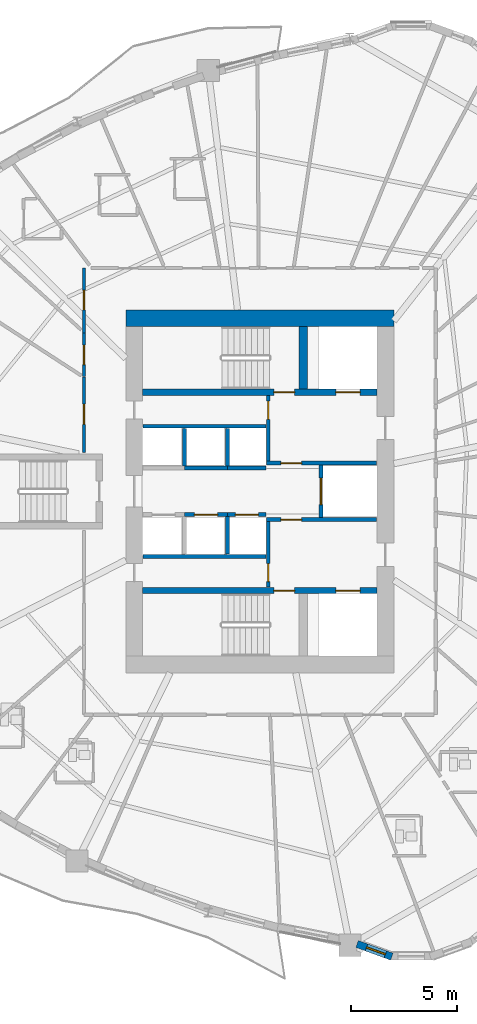
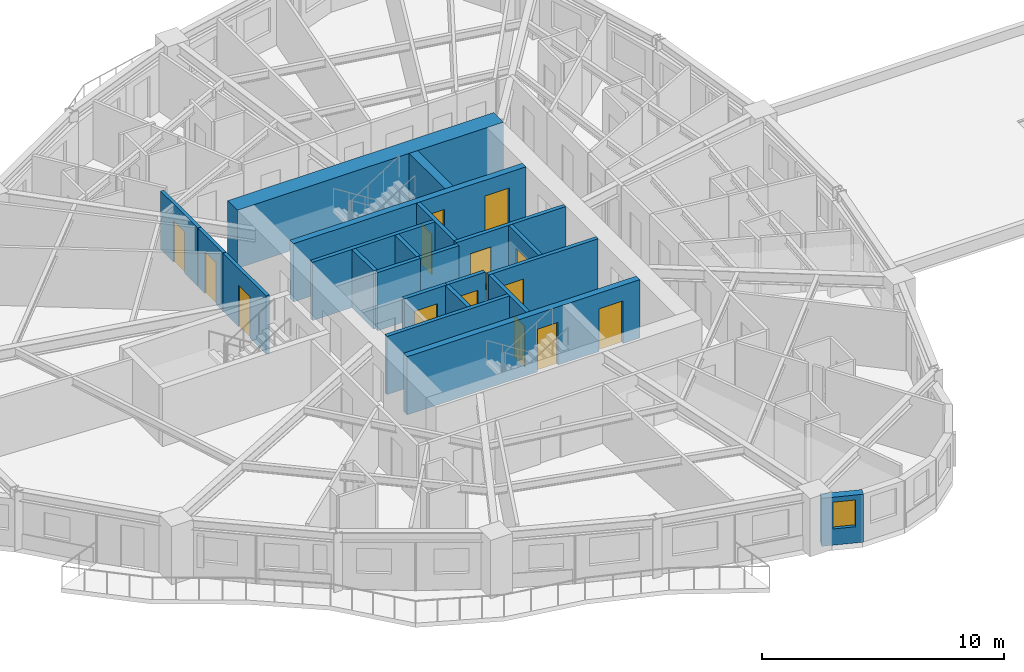
# One storey, part 5 of 15: 22 walls, 14 doors, 1 window, 15 openings.
"""IFC4 building model written with IfcOpenShell, lengths in metres."""

from ifc_helpers import new_model, si_unit, direction, frame, frame_2d, origin, place, context, subcontext, project, spatial, rectangle, extrude, source, transform, mapped, material, layer, layer_set, type_object, element, fill, save


model = new_model("IFC4")

# Units and contexts
model_context = context("Model", 3, precision=1e-05, world=origin(), true_north=direction((0.0, 1.0)))
body_context = subcontext(model_context, "Body", "Model", "MODEL_VIEW")
ifc_project = project(units=[si_unit("LENGTHUNIT", "METRE"), si_unit("AREAUNIT", "SQUARE_METRE"), si_unit("VOLUMEUNIT", "CUBIC_METRE"), si_unit("PLANEANGLEUNIT", "RADIAN"), si_unit("MASSUNIT", "GRAM", prefix="KILO")], contexts=[model_context])

# Site, building, storey
site_placement = place(None, origin())
site = spatial("IfcSite", under=ifc_project, at=site_placement, CompositionType="ELEMENT")
building_placement = place(site_placement, origin())
building = spatial("IfcBuilding", under=site, at=building_placement, Name="Qafzar Sky-Pleat Residences", CompositionType="ELEMENT")
storey_placement = place(building_placement, frame((0.0, 0.0, 36.60009765625)))
storey = spatial("IfcBuildingStorey", under=building, at=storey_placement, Name="L10", CompositionType="ELEMENT", Elevation=36.60009765625)

# Wall, opening, door
ifc_material_1 = material(Name="Acoustic gypsum plasterboard partition", Category="gypsum")
ifc_layer_1 = layer(ifc_material_1, 0.159912109375)
ifc_layer_set_1 = layer_set([ifc_layer_1], Name="Acoustic gypsum plasterboard partition")
wall_type_1 = type_object("IfcWallType", Name="PART-COR-160", PredefinedType="PARTITIONING", material=ifc_layer_set_1)
wall_1_placement = place(storey_placement, frame((22.02001953125, 27.85009765625, 0.0), z_axis=(0.0, 0.0, 1.0), x_axis=(0.0, 1.0, 0.0)))
wall_1 = element("IfcWall", 1, at=wall_1_placement, inside=storey, type_object=wall_type_1, Name="L10 Partition Wall PART-L10-PW-004", PredefinedType="PARTITIONING", context=body_context, shape_type="SweptSolid", body=[
    extrude(rectangle(XDim=3.56884765625, YDim=0.159912109375, at=frame_2d((1.784423828125, 0.0))), origin(), (0.0, 0.0, 1.0), 2.93994140625),
])
opening_1_placement = place(wall_1_placement, frame((1.324951171875, 0.0, 0.0)))
opening_1 = element("IfcOpeningElement", 2, at=opening_1_placement, cuts=wall_1, Name="Opening ID-06", PredefinedType="OPENING", context=body_context, shape_type="SweptSolid", body=[
    extrude(rectangle(XDim=0.9599609375, YDim=2.10009765625, at=frame_2d((0.47998046875, 1.050048828125))), frame((0.0, 0.08984375, 0.0), z_axis=(0.0, -1.0, 0.0), x_axis=(1.0, 0.0, 0.0)), (0.0, 0.0, 1.0), 0.179931640625),
])
ifc_material_2 = material(Name="Timber-faced fire door", Category="wood")
door_type_1 = type_object("IfcDoorType", Name="DR-STD-960", OperationType="NOTDEFINED", PredefinedType="DOOR", material=ifc_material_2)
shared_shape_1 = source(origin(), body_context, "Body", "SweptSolid", [
    extrude(rectangle(XDim=0.9599609375, YDim=2.10009765625, at=frame_2d((0.47998046875, 1.050048828125))), frame((0.0, 0.02490234375, 0.0), z_axis=(0.0, -1.0, 0.0), x_axis=(1.0, 0.0, 0.0)), (0.0, 0.0, 1.0), 0.050048828125),
])
door_1_placement = place(opening_1_placement, origin())
door_1 = element("IfcDoor", 3, at=door_1_placement, inside=storey, type_object=door_type_1, Name="L10 Faculty Research Office Door", OperationType="SINGLE_SWING_RIGHT", OverallHeight=2.10009765625, OverallWidth=0.9599609375, PredefinedType="DOOR", context=body_context, shape_type="MappedRepresentation", body=[
    mapped(shared_shape_1, transform((0.0, 0.0, 0.0), x_axis=(1.0, 0.0, 0.0), y_axis=(0.0, 1.0, 0.0), z_axis=(0.0, 0.0, 1.0), scale=1.0)),
])
fill(opening_1, door_1)

wall_2_placement = place(storey_placement, frame((22.02001953125, 33.511962890625, 0.0), z_axis=(0.0, 0.0, 1.0), x_axis=(0.0, 1.0, 0.0)))
wall_2 = element("IfcWall", 4, at=wall_2_placement, inside=storey, type_object=wall_type_1, Name="L10 Partition Wall PART-L10-PW-012", PredefinedType="PARTITIONING", context=body_context, shape_type="SweptSolid", body=[
    extrude(rectangle(XDim=3.068115234375, YDim=0.159912109375, at=frame_2d((1.5341796875, 0.0))), origin(), (0.0, 0.0, 1.0), 2.93994140625),
])
opening_2_placement = place(wall_2_placement, frame((1.08447265625, 0.0, 0.0)))
opening_2 = element("IfcOpeningElement", 5, at=opening_2_placement, cuts=wall_2, Name="Opening ID-04", PredefinedType="OPENING", context=body_context, shape_type="SweptSolid", body=[
    extrude(rectangle(XDim=0.919921875, YDim=2.10009765625, at=frame_2d((0.4599609375, 1.050048828125))), frame((0.0, 0.08984375, 0.0), z_axis=(0.0, -1.0, 0.0), x_axis=(1.0, 0.0, 0.0)), (0.0, 0.0, 1.0), 0.179931640625),
])
door_type_2 = type_object("IfcDoorType", Name="DR-BED-920", OperationType="NOTDEFINED", PredefinedType="DOOR", material=ifc_material_2)
shared_shape_2 = source(origin(), body_context, "Body", "SweptSolid", [
    extrude(rectangle(XDim=0.919921875, YDim=2.10009765625, at=frame_2d((0.4599609375, 1.050048828125))), frame((0.0, 0.02490234375, 0.0), z_axis=(0.0, -1.0, 0.0), x_axis=(1.0, 0.0, 0.0)), (0.0, 0.0, 1.0), 0.050048828125),
])
door_2_placement = place(opening_2_placement, origin())
door_2 = element("IfcDoor", 6, at=door_2_placement, inside=storey, type_object=door_type_2, Name="L10 Co-Living Bedroom 16 Door", OperationType="SINGLE_SWING_LEFT", OverallHeight=2.10009765625, OverallWidth=0.919921875, PredefinedType="DOOR", context=body_context, shape_type="MappedRepresentation", body=[
    mapped(shared_shape_2, transform((0.0, 0.0, 0.0), x_axis=(1.0, 0.0, 0.0), y_axis=(0.0, 1.0, 0.0), z_axis=(0.0, 0.0, 1.0), scale=1.0)),
])
fill(opening_2, door_2)

wall_3_placement = place(storey_placement, frame((22.02001953125, 31.43408203125, 0.0), z_axis=(0.0, 0.0, 1.0), x_axis=(0.0, 1.0, 0.0)))
wall_3 = element("IfcWall", 7, at=wall_3_placement, inside=storey, type_object=wall_type_1, Name="L10 Partition Wall PART-L10-PW-018", PredefinedType="PARTITIONING", context=body_context, shape_type="SweptSolid", body=[
    extrude(rectangle(XDim=2.06298828125, YDim=0.159912109375, at=frame_2d((1.031494140625, 0.0))), origin(), (0.0, 0.0, 1.0), 2.93994140625),
])
opening_3_placement = place(wall_3_placement, frame((0.572998046875, 0.0, 0.0)))
opening_3 = element("IfcOpeningElement", 8, at=opening_3_placement, cuts=wall_3, Name="Opening ID-04", PredefinedType="OPENING", context=body_context, shape_type="SweptSolid", body=[
    extrude(rectangle(XDim=0.919921875, YDim=2.10009765625, at=frame_2d((0.4599609375, 1.050048828125))), frame((0.0, 0.08984375, 0.0), z_axis=(0.0, -1.0, 0.0), x_axis=(1.0, 0.0, 0.0)), (0.0, 0.0, 1.0), 0.179931640625),
])
door_3_placement = place(opening_3_placement, origin())
door_3 = element("IfcDoor", 9, at=door_3_placement, inside=storey, type_object=door_type_2, Name="L10 Co-Living Bedroom 15 Door", OperationType="SINGLE_SWING_RIGHT", OverallHeight=2.10009765625, OverallWidth=0.919921875, PredefinedType="DOOR", context=body_context, shape_type="MappedRepresentation", body=[
    mapped(shared_shape_2, transform((0.0, 0.0, 0.0), x_axis=(1.0, 0.0, 0.0), y_axis=(0.0, 1.0, 0.0), z_axis=(0.0, 0.0, 1.0), scale=1.0)),
])
fill(opening_3, door_3)

ifc_material_3 = material(Name="Concrete blockwork partition", Category="masonry")
ifc_layer_2 = layer(ifc_material_3, 0.179931640625)
ifc_layer_set_2 = layer_set([ifc_layer_2], Name="Concrete blockwork partition")
wall_type_2 = type_object("IfcWallType", Name="PART-SHAFT-180", PredefinedType="PARTITIONING", material=ifc_layer_set_2)
wall_4_placement = place(storey_placement, frame((30.75, 21.4599609375, 0.0), z_axis=(0.0, 0.0, 1.0), x_axis=(0.0, 1.0, 0.0)))
wall_4 = element("IfcWall", 10, at=wall_4_placement, inside=storey, type_object=wall_type_2, Name="L10 Partition Wall PART-L10-FFL1-W", PredefinedType="PARTITIONING", context=body_context, shape_type="SweptSolid", body=[
    extrude(rectangle(XDim=3.110107421875, YDim=0.179931640625, at=frame_2d((1.55517578125, 0.0))), origin(), (0.0, 0.0, 1.0), 2.93994140625),
])
opening_4_placement = place(wall_4_placement, frame((0.260009765625, 0.0, 0.0)))
opening_4 = element("IfcOpeningElement", 11, at=opening_4_placement, cuts=wall_4, Name="Opening ID-09", PredefinedType="OPENING", context=body_context, shape_type="SweptSolid", body=[
    extrude(rectangle(XDim=0.860107421875, YDim=2.050048828125, at=frame_2d((0.43017578125, 1.02490234375))), frame((0.0, 0.10009765625, 0.0), z_axis=(0.0, -1.0, 0.0), x_axis=(1.0, 0.0, 0.0)), (0.0, 0.0, 1.0), 0.199951171875),
])
door_type_3 = type_object("IfcDoorType", Name="DR-SVC-860", OperationType="NOTDEFINED", PredefinedType="DOOR", material=ifc_material_2)
shared_shape_3 = source(origin(), body_context, "Body", "SweptSolid", [
    extrude(rectangle(XDim=0.860107421875, YDim=2.050048828125, at=frame_2d((0.43017578125, 1.02490234375))), frame((0.0, 0.02490234375, 0.0), z_axis=(0.0, -1.0, 0.0), x_axis=(1.0, 0.0, 0.0)), (0.0, 0.0, 1.0), 0.050048828125),
])
door_4_placement = place(opening_4_placement, origin())
door_4 = element("IfcDoor", 12, at=door_4_placement, inside=storey, type_object=door_type_3, Name="L10 South Core Cupboard Door", OperationType="SINGLE_SWING_RIGHT", OverallHeight=2.050048828125, OverallWidth=0.860107421875, PredefinedType="DOOR", context=body_context, shape_type="MappedRepresentation", body=[
    mapped(shared_shape_3, transform((0.0, 0.0, 0.0), x_axis=(1.0, 0.0, 0.0), y_axis=(0.0, 1.0, 0.0), z_axis=(0.0, 0.0, 1.0), scale=1.0)),
])
fill(opening_4, door_4)

wall_5_placement = place(storey_placement, frame((30.669921875, 24.659912109375, 0.0), z_axis=(0.0, 0.0, 1.0), x_axis=(1.0, 0.0, 0.0)))
wall_5 = element("IfcWall", 13, at=wall_5_placement, inside=storey, type_object=wall_type_2, Name="L10 Partition Wall PART-L10-FFL1-N", PredefinedType="PARTITIONING", context=body_context, shape_type="SweptSolid", body=[
    extrude(rectangle(XDim=5.219970703125, YDim=0.179931640625, at=frame_2d((2.60986328125, 0.0))), origin(), (0.0, 0.0, 1.0), 2.93994140625),
])
opening_5_placement = place(wall_5_placement, frame((0.679931640625, 0.0, 0.0)))
opening_5 = element("IfcOpeningElement", 14, at=opening_5_placement, cuts=wall_5, Name="Opening ID-01", PredefinedType="OPENING", context=body_context, shape_type="SweptSolid", body=[
    extrude(rectangle(XDim=0.97998046875, YDim=2.14990234375, at=frame_2d((0.489990234375, 1.074951171875))), frame((0.0, 0.10009765625, 0.0), z_axis=(0.0, -1.0, 0.0), x_axis=(1.0, 0.0, 0.0)), (0.0, 0.0, 1.0), 0.199951171875),
])
door_type_4 = type_object("IfcDoorType", Name="DR-STAIR-980", OperationType="NOTDEFINED", PredefinedType="DOOR", material=ifc_material_2)
shared_shape_4 = source(origin(), body_context, "Body", "SweptSolid", [
    extrude(rectangle(XDim=0.97998046875, YDim=2.14990234375, at=frame_2d((0.489990234375, 1.074951171875))), frame((0.0, 0.02490234375, 0.0), z_axis=(0.0, -1.0, 0.0), x_axis=(1.0, 0.0, 0.0)), (0.0, 0.0, 1.0), 0.050048828125),
])
door_5_placement = place(opening_5_placement, origin())
door_5 = element("IfcDoor", 15, at=door_5_placement, inside=storey, type_object=door_type_4, Name="L10 Lift Lobby to South Firefighting Lobby Door", OperationType="SINGLE_SWING_LEFT", OverallHeight=2.14990234375, OverallWidth=0.97998046875, PredefinedType="DOOR", context=body_context, shape_type="MappedRepresentation", body=[
    mapped(shared_shape_4, transform((0.0, 0.0, 0.0), x_axis=(1.0, 0.0, 0.0), y_axis=(0.0, 1.0, 0.0), z_axis=(0.0, 0.0, 1.0), scale=1.0)),
])
fill(opening_5, door_5)

wall_6_placement = place(storey_placement, frame((30.75, 27.429931640625, 0.0), z_axis=(0.0, 0.0, 1.0), x_axis=(0.0, 1.0, 0.0)))
wall_6 = element("IfcWall", 16, at=wall_6_placement, inside=storey, type_object=wall_type_2, Name="L10 Partition Wall PART-L10-FFL2-W", PredefinedType="PARTITIONING", context=body_context, shape_type="SweptSolid", body=[
    extrude(rectangle(XDim=3.110107421875, YDim=0.179931640625, at=frame_2d((1.55517578125, 0.0))), origin(), (0.0, 0.0, 1.0), 2.93994140625),
])
opening_6_placement = place(wall_6_placement, frame((1.97998046875, 0.0, 0.0)))
opening_6 = element("IfcOpeningElement", 17, at=opening_6_placement, cuts=wall_6, Name="Opening ID-09", PredefinedType="OPENING", context=body_context, shape_type="SweptSolid", body=[
    extrude(rectangle(XDim=0.860107421875, YDim=2.050048828125, at=frame_2d((0.43017578125, 1.02490234375))), frame((0.0, 0.10009765625, 0.0), z_axis=(0.0, -1.0, 0.0), x_axis=(1.0, 0.0, 0.0)), (0.0, 0.0, 1.0), 0.199951171875),
])
door_6_placement = place(opening_6_placement, origin())
door_6 = element("IfcDoor", 18, at=door_6_placement, inside=storey, type_object=door_type_3, Name="L10 North Core Cupboard Door", OperationType="SINGLE_SWING_RIGHT", OverallHeight=2.050048828125, OverallWidth=0.860107421875, PredefinedType="DOOR", context=body_context, shape_type="MappedRepresentation", body=[
    mapped(shared_shape_3, transform((0.0, 0.0, 0.0), x_axis=(1.0, 0.0, 0.0), y_axis=(0.0, 1.0, 0.0), z_axis=(0.0, 0.0, 1.0), scale=1.0)),
])
fill(opening_6, door_6)

wall_7_placement = place(storey_placement, frame((30.669921875, 27.340087890625, 0.0), z_axis=(0.0, 0.0, 1.0), x_axis=(1.0, 0.0, 0.0)))
wall_7 = element("IfcWall", 19, at=wall_7_placement, inside=storey, type_object=wall_type_2, Name="L10 Partition Wall PART-L10-FFL2-S", PredefinedType="PARTITIONING", context=body_context, shape_type="SweptSolid", body=[
    extrude(rectangle(XDim=5.219970703125, YDim=0.179931640625, at=frame_2d((2.60986328125, 0.0))), origin(), (0.0, 0.0, 1.0), 2.93994140625),
])
opening_7_placement = place(wall_7_placement, frame((0.679931640625, 0.0, 0.0)))
opening_7 = element("IfcOpeningElement", 20, at=opening_7_placement, cuts=wall_7, Name="Opening ID-01", PredefinedType="OPENING", context=body_context, shape_type="SweptSolid", body=[
    extrude(rectangle(XDim=0.97998046875, YDim=2.14990234375, at=frame_2d((0.489990234375, 1.074951171875))), frame((0.0, 0.10009765625, 0.0), z_axis=(0.0, -1.0, 0.0), x_axis=(1.0, 0.0, 0.0)), (0.0, 0.0, 1.0), 0.199951171875),
])
door_7_placement = place(opening_7_placement, origin())
door_7 = element("IfcDoor", 21, at=door_7_placement, inside=storey, type_object=door_type_4, Name="L10 Lift Lobby to North Firefighting Lobby Door", OperationType="SINGLE_SWING_LEFT", OverallHeight=2.14990234375, OverallWidth=0.97998046875, PredefinedType="DOOR", context=body_context, shape_type="MappedRepresentation", body=[
    mapped(shared_shape_4, transform((0.0, 0.0, 0.0), x_axis=(1.0, 0.0, 0.0), y_axis=(0.0, 1.0, 0.0), z_axis=(0.0, 0.0, 1.0), scale=1.0)),
])
fill(opening_7, door_7)

wall_8_placement = place(storey_placement, frame((33.25, 24.760009765625, 0.0), z_axis=(0.0, 0.0, 1.0), x_axis=(0.0, 1.0, 0.0)))
wall_8 = element("IfcWall", 22, at=wall_8_placement, inside=storey, type_object=wall_type_2, Name="L10 Partition Wall PART-L10-SV1-W", PredefinedType="PARTITIONING", context=body_context, shape_type="SweptSolid", body=[
    extrude(rectangle(XDim=2.47998046875, YDim=0.179931640625, at=frame_2d((1.239990234375, 0.0))), origin(), (0.0, 0.0, 1.0), 2.93994140625),
])
opening_8_placement = place(wall_8_placement, frame((0.614990234375, 0.0, 0.0)))
opening_8 = element("IfcOpeningElement", 23, at=opening_8_placement, cuts=wall_8, Name="Opening LD-03", PredefinedType="OPENING", context=body_context, shape_type="SweptSolid", body=[
    extrude(rectangle(XDim=1.25, YDim=2.14990234375, at=frame_2d((0.625, 1.074951171875))), frame((0.0, 0.10009765625, 0.0), z_axis=(0.0, -1.0, 0.0), x_axis=(1.0, 0.0, 0.0)), (0.0, 0.0, 1.0), 0.199951171875),
])
ifc_material_4 = material(Name="Stainless steel sliding landing door", Category="steel")
door_type_5 = type_object("IfcDoorType", Name="DR-LIFT-SV", OperationType="DOUBLE_DOOR_SLIDING", PredefinedType="DOOR", material=ifc_material_4)
shared_shape_5 = source(origin(), body_context, "Body", "SweptSolid", [
    extrude(rectangle(XDim=1.25, YDim=2.14990234375, at=frame_2d((0.625, 1.074951171875))), frame((0.0, 0.02490234375, 0.0), z_axis=(0.0, -1.0, 0.0), x_axis=(1.0, 0.0, 0.0)), (0.0, 0.0, 1.0), 0.050048828125),
])
door_8_placement = place(opening_8_placement, origin())
door_8 = element("IfcDoor", 24, at=door_8_placement, inside=storey, type_object=door_type_5, Name="L10 Service Lift SV1 Landing Door", OperationType="DOUBLE_DOOR_SLIDING", OverallHeight=2.14990234375, OverallWidth=1.25, PredefinedType="DOOR", context=body_context, shape_type="MappedRepresentation", body=[
    mapped(shared_shape_5, transform((0.0, 0.0, 0.0), x_axis=(1.0, 0.0, 0.0), y_axis=(0.0, 1.0, 0.0), z_axis=(0.0, 0.0, 1.0), scale=1.0)),
])
fill(opening_8, door_8)

# Wall
wall_9_placement = place(storey_placement, frame((24.81005859375, 22.919921875, 0.0), z_axis=(0.0, 0.0, 1.0), x_axis=(1.0, 0.0, 0.0)))
element("IfcWall", 25, at=wall_9_placement, inside=storey, type_object=wall_type_2, Name="L10 Partition Wall PART-L10-P13-S", PredefinedType="PARTITIONING", context=body_context, shape_type="SweptSolid", body=[
    extrude(rectangle(XDim=5.83984375, YDim=0.179931640625, at=frame_2d((2.919921875, 0.0))), origin(), (0.0, 0.0, 1.0), 2.93994140625),
])

# Wall, opening, door
wall_10_placement = place(storey_placement, frame((26.77490234375, 24.89990234375, 0.0), z_axis=(0.0, 0.0, 1.0), x_axis=(1.0, 0.0, 0.0)))
wall_10 = element("IfcWall", 26, at=wall_10_placement, inside=storey, type_object=wall_type_2, Name="L10 Partition Wall PART-L10-P2-N", PredefinedType="PARTITIONING", context=body_context, shape_type="SweptSolid", body=[
    extrude(rectangle(XDim=2.050048828125, YDim=0.179931640625, at=frame_2d((1.02490234375, 0.0))), origin(), (0.0, 0.0, 1.0), 2.93994140625),
])
opening_9_placement = place(wall_10_placement, frame((0.47509765625, 0.0, 0.0)))
opening_9 = element("IfcOpeningElement", 27, at=opening_9_placement, cuts=wall_10, Name="Opening LD-01", PredefinedType="OPENING", context=body_context, shape_type="SweptSolid", body=[
    extrude(rectangle(XDim=1.10009765625, YDim=2.14990234375, at=frame_2d((0.550048828125, 1.074951171875))), frame((0.0, 0.10009765625, 0.0), z_axis=(0.0, -1.0, 0.0), x_axis=(1.0, 0.0, 0.0)), (0.0, 0.0, 1.0), 0.199951171875),
])
door_type_6 = type_object("IfcDoorType", Name="DR-LIFT-P", OperationType="DOUBLE_DOOR_SLIDING", PredefinedType="DOOR", material=ifc_material_4)
shared_shape_6 = source(origin(), body_context, "Body", "SweptSolid", [
    extrude(rectangle(XDim=1.10009765625, YDim=2.14990234375, at=frame_2d((0.550048828125, 1.074951171875))), frame((0.0, 0.02490234375, 0.0), z_axis=(0.0, -1.0, 0.0), x_axis=(1.0, 0.0, 0.0)), (0.0, 0.0, 1.0), 0.050048828125),
])
door_9_placement = place(opening_9_placement, origin())
door_9 = element("IfcDoor", 28, at=door_9_placement, inside=storey, type_object=door_type_6, Name="L10 Passenger Lift P2 Landing Door", OperationType="DOUBLE_DOOR_SLIDING", OverallHeight=2.14990234375, OverallWidth=1.10009765625, PredefinedType="DOOR", context=body_context, shape_type="MappedRepresentation", body=[
    mapped(shared_shape_6, transform((0.0, 0.0, 0.0), x_axis=(1.0, 0.0, 0.0), y_axis=(0.0, 1.0, 0.0), z_axis=(0.0, 0.0, 1.0), scale=1.0)),
])
fill(opening_9, door_9)

wall_11_placement = place(storey_placement, frame((28.824951171875, 24.89990234375, 0.0), z_axis=(0.0, 0.0, 1.0), x_axis=(1.0, 0.0, 0.0)))
wall_11 = element("IfcWall", 29, at=wall_11_placement, inside=storey, type_object=wall_type_2, Name="L10 Partition Wall PART-L10-P3-N", PredefinedType="PARTITIONING", context=body_context, shape_type="SweptSolid", body=[
    extrude(rectangle(XDim=1.824951171875, YDim=0.179931640625, at=frame_2d((0.91259765625, 0.0))), origin(), (0.0, 0.0, 1.0), 2.93994140625),
])
opening_10_placement = place(wall_11_placement, frame((0.362548828125, 0.0, 0.0)))
opening_10 = element("IfcOpeningElement", 30, at=opening_10_placement, cuts=wall_11, Name="Opening LD-01", PredefinedType="OPENING", context=body_context, shape_type="SweptSolid", body=[
    extrude(rectangle(XDim=1.10009765625, YDim=2.14990234375, at=frame_2d((0.550048828125, 1.074951171875))), frame((0.0, 0.10009765625, 0.0), z_axis=(0.0, -1.0, 0.0), x_axis=(1.0, 0.0, 0.0)), (0.0, 0.0, 1.0), 0.199951171875),
])
door_10_placement = place(opening_10_placement, origin())
door_10 = element("IfcDoor", 31, at=door_10_placement, inside=storey, type_object=door_type_6, Name="L10 Passenger Lift P3 Landing Door", OperationType="DOUBLE_DOOR_SLIDING", OverallHeight=2.14990234375, OverallWidth=1.10009765625, PredefinedType="DOOR", context=body_context, shape_type="MappedRepresentation", body=[
    mapped(shared_shape_6, transform((0.0, 0.0, 0.0), x_axis=(1.0, 0.0, 0.0), y_axis=(0.0, 1.0, 0.0), z_axis=(0.0, 0.0, 1.0), scale=1.0)),
])
fill(opening_10, door_10)

# Walls
wall_12_placement = place(storey_placement, frame((28.824951171875, 23.02001953125, 0.0), z_axis=(0.0, 0.0, 1.0), x_axis=(0.0, 1.0, 0.0)))
element("IfcWall", 32, at=wall_12_placement, inside=storey, type_object=wall_type_2, Name="L10 Partition Wall PART-L10-P13-DIV-2", PredefinedType="PARTITIONING", context=body_context, shape_type="SweptSolid", body=[
    extrude(rectangle(XDim=1.780029296875, YDim=0.179931640625, at=frame_2d((0.89013671875, 0.0))), origin(), (0.0, 0.0, 1.0), 2.93994140625),
])
wall_13_placement = place(storey_placement, frame((24.81005859375, 29.080078125, 0.0), z_axis=(0.0, 0.0, 1.0), x_axis=(1.0, 0.0, 0.0)))
element("IfcWall", 33, at=wall_13_placement, inside=storey, type_object=wall_type_2, Name="L10 Partition Wall PART-L10-P46-N", PredefinedType="PARTITIONING", context=body_context, shape_type="SweptSolid", body=[
    extrude(rectangle(XDim=5.83984375, YDim=0.179931640625, at=frame_2d((2.919921875, 0.0))), origin(), (0.0, 0.0, 1.0), 2.93994140625),
])
wall_14_placement = place(storey_placement, frame((26.77490234375, 27.10009765625, 0.0), z_axis=(0.0, 0.0, 1.0), x_axis=(1.0, 0.0, 0.0)))
element("IfcWall", 34, at=wall_14_placement, inside=storey, type_object=wall_type_2, Name="L10 Partition Wall PART-L10-P5-S", PredefinedType="PARTITIONING", context=body_context, shape_type="SweptSolid", body=[
    extrude(rectangle(XDim=2.050048828125, YDim=0.179931640625, at=frame_2d((1.02490234375, 0.0))), origin(), (0.0, 0.0, 1.0), 2.93994140625),
])
wall_15_placement = place(storey_placement, frame((26.77490234375, 27.199951171875, 0.0), z_axis=(0.0, 0.0, 1.0), x_axis=(0.0, 1.0, 0.0)))
element("IfcWall", 35, at=wall_15_placement, inside=storey, type_object=wall_type_2, Name="L10 Partition Wall PART-L10-P46-DIV-1", PredefinedType="PARTITIONING", context=body_context, shape_type="SweptSolid", body=[
    extrude(rectangle(XDim=1.780029296875, YDim=0.179931640625, at=frame_2d((0.89013671875, 0.0))), origin(), (0.0, 0.0, 1.0), 2.93994140625),
])
wall_16_placement = place(storey_placement, frame((28.824951171875, 27.10009765625, 0.0), z_axis=(0.0, 0.0, 1.0), x_axis=(1.0, 0.0, 0.0)))
element("IfcWall", 36, at=wall_16_placement, inside=storey, type_object=wall_type_2, Name="L10 Partition Wall PART-L10-P6-S", PredefinedType="PARTITIONING", context=body_context, shape_type="SweptSolid", body=[
    extrude(rectangle(XDim=1.824951171875, YDim=0.179931640625, at=frame_2d((0.91259765625, 0.0))), origin(), (0.0, 0.0, 1.0), 2.93994140625),
])
wall_17_placement = place(storey_placement, frame((28.824951171875, 27.199951171875, 0.0), z_axis=(0.0, 0.0, 1.0), x_axis=(0.0, 1.0, 0.0)))
element("IfcWall", 37, at=wall_17_placement, inside=storey, type_object=wall_type_2, Name="L10 Partition Wall PART-L10-P46-DIV-2", PredefinedType="PARTITIONING", context=body_context, shape_type="SweptSolid", body=[
    extrude(rectangle(XDim=1.780029296875, YDim=0.179931640625, at=frame_2d((0.89013671875, 0.0))), origin(), (0.0, 0.0, 1.0), 2.93994140625),
])

# Wall, opening, window
ifc_material_5 = material(Name="Precast concrete C40/50 with honed Riyadh limestone", Category="concrete")
ifc_layer_3 = layer(ifc_material_5, 0.35009765625)
ifc_layer_set_3 = layer_set([ifc_layer_3], Name="Precast concrete C40/50 with honed Riyadh limestone")
wall_type_3 = type_object("IfcWallType", Name="WALL-EXT-350", PredefinedType="SOLIDWALL", material=ifc_layer_set_3)
wall_18_placement = place(storey_placement, frame((34.959228515625, 4.55419921875, 0.0), z_axis=(0.0, 0.0, 1.0), x_axis=(0.939646909041, -0.342145709208, 0.0)))
wall_18 = element("IfcWall", 38, at=wall_18_placement, inside=storey, type_object=wall_type_3, Name="L10 Limestone Facade Wall 17", PredefinedType="SOLIDWALL", context=body_context, shape_type="SweptSolid", body=[
    extrude(rectangle(XDim=1.75244140625, YDim=0.35009765625, at=frame_2d((0.876220703125, 0.0))), origin(), (0.0, 0.0, 1.0), 2.419921875),
])
opening_11_placement = place(wall_18_placement, frame((0.476318359375, 0.0, 0.820068359375)))
opening_11 = element("IfcOpeningElement", 39, at=opening_11_placement, cuts=wall_18, Name="Opening WN-12", PredefinedType="OPENING", context=body_context, shape_type="SweptSolid", body=[
    extrude(rectangle(XDim=0.949951171875, YDim=1.35009765625, at=frame_2d((0.47509765625, 0.675048828125))), frame((0.0, 0.18505859375, 0.0), z_axis=(0.0, -1.0, 0.0), x_axis=(1.0, 0.0, 0.0)), (0.0, 0.0, 1.0), 0.3701171875),
])
ifc_material_6 = material(Name="Solar-control low-E glass in bronze aluminium frame", Category="glass")
window_type = type_object("IfcWindowType", Name="WIN-12", PartitioningType="SINGLE_PANEL", PredefinedType="WINDOW", material=ifc_material_6)
shared_shape_7 = source(origin(), body_context, "Body", "SweptSolid", [
    extrude(rectangle(XDim=0.949951171875, YDim=1.35009765625, at=frame_2d((0.47509765625, 0.675048828125))), frame((0.0, 0.030029296875, 0.0), z_axis=(0.0, -1.0, 0.0), x_axis=(1.0, 0.0, 0.0)), (0.0, 0.0, 1.0), 0.06005859375),
])
window_placement = place(opening_11_placement, origin())
window = element("IfcWindow", 40, at=window_placement, inside=storey, type_object=window_type, Name="L10 Punched Facade Window 17", OverallHeight=1.35009765625, OverallWidth=0.949951171875, PartitioningType="SINGLE_PANEL", PredefinedType="WINDOW", context=body_context, shape_type="MappedRepresentation", body=[
    mapped(shared_shape_7, transform((0.0, 0.0, 0.0), x_axis=(1.0, 0.0, 0.0), y_axis=(0.0, 1.0, 0.0), z_axis=(0.0, 0.0, 1.0), scale=1.0)),
])
fill(opening_11, window)

# Wall, openings, doors
ifc_material_7 = material(Name="Concrete C60/75", Category="concrete")
ifc_layer_4 = layer(ifc_material_7, 0.300048828125)
ifc_layer_set_4 = layer_set([ifc_layer_4], Name="Concrete C60/75")
wall_type_4 = type_object("IfcWallType", Name="WALL-SHEAR-300", PredefinedType="SHEAR", material=ifc_layer_set_4)
wall_19_placement = place(storey_placement, frame((24.800048828125, 21.300048828125, 0.0), z_axis=(0.0, 0.0, 1.0), x_axis=(1.0, 0.0, 0.0)))
wall_19 = element("IfcWall", 41, at=wall_19_placement, inside=storey, type_object=wall_type_4, Name="L10 Stair ST1 and FF1 Shaft North Wall", PredefinedType="SHEAR", context=body_context, shape_type="SweptSolid", body=[
    extrude(rectangle(XDim=11.099853515625, YDim=0.300048828125, at=frame_2d((5.5498046875, 0.0))), origin(), (0.0, 0.0, 1.0), 2.93994140625),
])
opening_12_placement = place(wall_19_placement, frame((6.219970703125, 0.0, 0.0)))
opening_12 = element("IfcOpeningElement", 42, at=opening_12_placement, cuts=wall_19, Name="Opening ID-01", PredefinedType="OPENING", context=body_context, shape_type="SweptSolid", body=[
    extrude(rectangle(XDim=0.97998046875, YDim=2.14990234375, at=frame_2d((0.489990234375, 1.074951171875))), frame((0.0, 0.16015625, 0.0), z_axis=(0.0, -1.0, 0.0), x_axis=(1.0, 0.0, 0.0)), (0.0, 0.0, 1.0), 0.320068359375),
])
opening_13_placement = place(wall_19_placement, frame((9.14990234375, 0.0, 0.0)))
opening_13 = element("IfcOpeningElement", 43, at=opening_13_placement, cuts=wall_19, Name="Opening LD-02", PredefinedType="OPENING", context=body_context, shape_type="SweptSolid", body=[
    extrude(rectangle(XDim=1.14990234375, YDim=2.14990234375, at=frame_2d((0.574951171875, 1.074951171875))), frame((0.0, 0.16015625, 0.0), z_axis=(0.0, -1.0, 0.0), x_axis=(1.0, 0.0, 0.0)), (0.0, 0.0, 1.0), 0.320068359375),
])
door_11_placement = place(opening_12_placement, origin())
door_11 = element("IfcDoor", 44, at=door_11_placement, inside=storey, type_object=door_type_4, Name="L10 Stair ST1 Fire Door", OperationType="SINGLE_SWING_LEFT", OverallHeight=2.14990234375, OverallWidth=0.97998046875, PredefinedType="DOOR", context=body_context, shape_type="MappedRepresentation", body=[
    mapped(shared_shape_4, transform((0.0, 0.0, 0.0), x_axis=(1.0, 0.0, 0.0), y_axis=(0.0, 1.0, 0.0), z_axis=(0.0, 0.0, 1.0), scale=1.0)),
])
fill(opening_12, door_11)
door_type_7 = type_object("IfcDoorType", Name="DR-LIFT-FF", OperationType="DOUBLE_DOOR_SLIDING", PredefinedType="DOOR", material=ifc_material_4)
shared_shape_8 = source(origin(), body_context, "Body", "SweptSolid", [
    extrude(rectangle(XDim=1.14990234375, YDim=2.14990234375, at=frame_2d((0.574951171875, 1.074951171875))), frame((0.0, 0.02490234375, 0.0), z_axis=(0.0, -1.0, 0.0), x_axis=(1.0, 0.0, 0.0)), (0.0, 0.0, 1.0), 0.050048828125),
])
door_12_placement = place(opening_13_placement, origin())
door_12 = element("IfcDoor", 45, at=door_12_placement, inside=storey, type_object=door_type_7, Name="L10 Firefighting Lift FF1 Landing Door", OperationType="DOUBLE_DOOR_SLIDING", OverallHeight=2.14990234375, OverallWidth=1.14990234375, PredefinedType="DOOR", context=body_context, shape_type="MappedRepresentation", body=[
    mapped(shared_shape_8, transform((0.0, 0.0, 0.0), x_axis=(1.0, 0.0, 0.0), y_axis=(0.0, 1.0, 0.0), z_axis=(0.0, 0.0, 1.0), scale=1.0)),
])
fill(opening_13, door_12)

wall_20_placement = place(storey_placement, frame((24.800048828125, 30.699951171875, 0.0), z_axis=(0.0, 0.0, 1.0), x_axis=(1.0, 0.0, 0.0)))
wall_20 = element("IfcWall", 46, at=wall_20_placement, inside=storey, type_object=wall_type_4, Name="L10 Stair ST2 and FF2 Shaft South Wall", PredefinedType="SHEAR", context=body_context, shape_type="SweptSolid", body=[
    extrude(rectangle(XDim=11.099853515625, YDim=0.300048828125, at=frame_2d((5.5498046875, 0.0))), origin(), (0.0, 0.0, 1.0), 2.93994140625),
])
opening_14_placement = place(wall_20_placement, frame((6.219970703125, 0.0, 0.0)))
opening_14 = element("IfcOpeningElement", 47, at=opening_14_placement, cuts=wall_20, Name="Opening ID-01", PredefinedType="OPENING", context=body_context, shape_type="SweptSolid", body=[
    extrude(rectangle(XDim=0.97998046875, YDim=2.14990234375, at=frame_2d((0.489990234375, 1.074951171875))), frame((0.0, 0.16015625, 0.0), z_axis=(0.0, -1.0, 0.0), x_axis=(1.0, 0.0, 0.0)), (0.0, 0.0, 1.0), 0.320068359375),
])
opening_15_placement = place(wall_20_placement, frame((9.14990234375, 0.0, 0.0)))
opening_15 = element("IfcOpeningElement", 48, at=opening_15_placement, cuts=wall_20, Name="Opening LD-02", PredefinedType="OPENING", context=body_context, shape_type="SweptSolid", body=[
    extrude(rectangle(XDim=1.14990234375, YDim=2.14990234375, at=frame_2d((0.574951171875, 1.074951171875))), frame((0.0, 0.16015625, 0.0), z_axis=(0.0, -1.0, 0.0), x_axis=(1.0, 0.0, 0.0)), (0.0, 0.0, 1.0), 0.320068359375),
])
door_13_placement = place(opening_14_placement, origin())
door_13 = element("IfcDoor", 49, at=door_13_placement, inside=storey, type_object=door_type_4, Name="L10 Stair ST2 Fire Door", OperationType="SINGLE_SWING_RIGHT", OverallHeight=2.14990234375, OverallWidth=0.97998046875, PredefinedType="DOOR", context=body_context, shape_type="MappedRepresentation", body=[
    mapped(shared_shape_4, transform((0.0, 0.0, 0.0), x_axis=(1.0, 0.0, 0.0), y_axis=(0.0, 1.0, 0.0), z_axis=(0.0, 0.0, 1.0), scale=1.0)),
])
fill(opening_14, door_13)
door_14_placement = place(opening_15_placement, origin())
door_14 = element("IfcDoor", 50, at=door_14_placement, inside=storey, type_object=door_type_7, Name="L10 Firefighting Lift FF2 Landing Door", OperationType="DOUBLE_DOOR_SLIDING", OverallHeight=2.14990234375, OverallWidth=1.14990234375, PredefinedType="DOOR", context=body_context, shape_type="MappedRepresentation", body=[
    mapped(shared_shape_8, transform((0.0, 0.0, 0.0), x_axis=(1.0, 0.0, 0.0), y_axis=(0.0, 1.0, 0.0), z_axis=(0.0, 0.0, 1.0), scale=1.0)),
])
fill(opening_15, door_14)

# Walls
ifc_layer_5 = layer(ifc_material_7, 0.39990234375)
ifc_layer_set_5 = layer_set([ifc_layer_5], Name="Concrete C60/75")
wall_type_5 = type_object("IfcWallType", Name="WALL-SHEAR-400", PredefinedType="SHEAR", material=ifc_layer_set_5)
wall_21_placement = place(storey_placement, frame((32.39990234375, 30.85009765625, 0.0), z_axis=(0.0, 0.0, 1.0), x_axis=(0.0, 1.0, 0.0)))
element("IfcWall", 51, at=wall_21_placement, inside=storey, type_object=wall_type_5, Name="L10 Stair ST2 East Dividing Wall", PredefinedType="SHEAR", context=body_context, shape_type="SweptSolid", body=[
    extrude(rectangle(XDim=2.949951171875, YDim=0.39990234375, at=frame_2d((1.47509765625, 0.0))), origin(), (0.0, 0.0, 1.0), 2.93994140625),
])
ifc_layer_6 = layer(ifc_material_7, 0.800048828125)
ifc_layer_set_6 = layer_set([ifc_layer_6], Name="Concrete C60/75")
wall_type_6 = type_object("IfcWallType", Name="WALL-SHEAR-800", PredefinedType="SHEAR", material=ifc_layer_set_6)
wall_22_placement = place(storey_placement, frame((36.699951171875, 34.199951171875, 0.0), z_axis=(0.0, 0.0, 1.0), x_axis=(-1.0, 0.0, 0.0)))
element("IfcWall", 52, at=wall_22_placement, inside=storey, type_object=wall_type_6, Name="L10 CORE wall N", PredefinedType="SHEAR", context=body_context, shape_type="SweptSolid", body=[
    extrude(rectangle(XDim=12.699951171875, YDim=0.800048828125, at=frame_2d((6.35009765625, 0.0))), origin(), (0.0, 0.0, 1.0), 2.93994140625),
])

save(model, "model.ifc")
